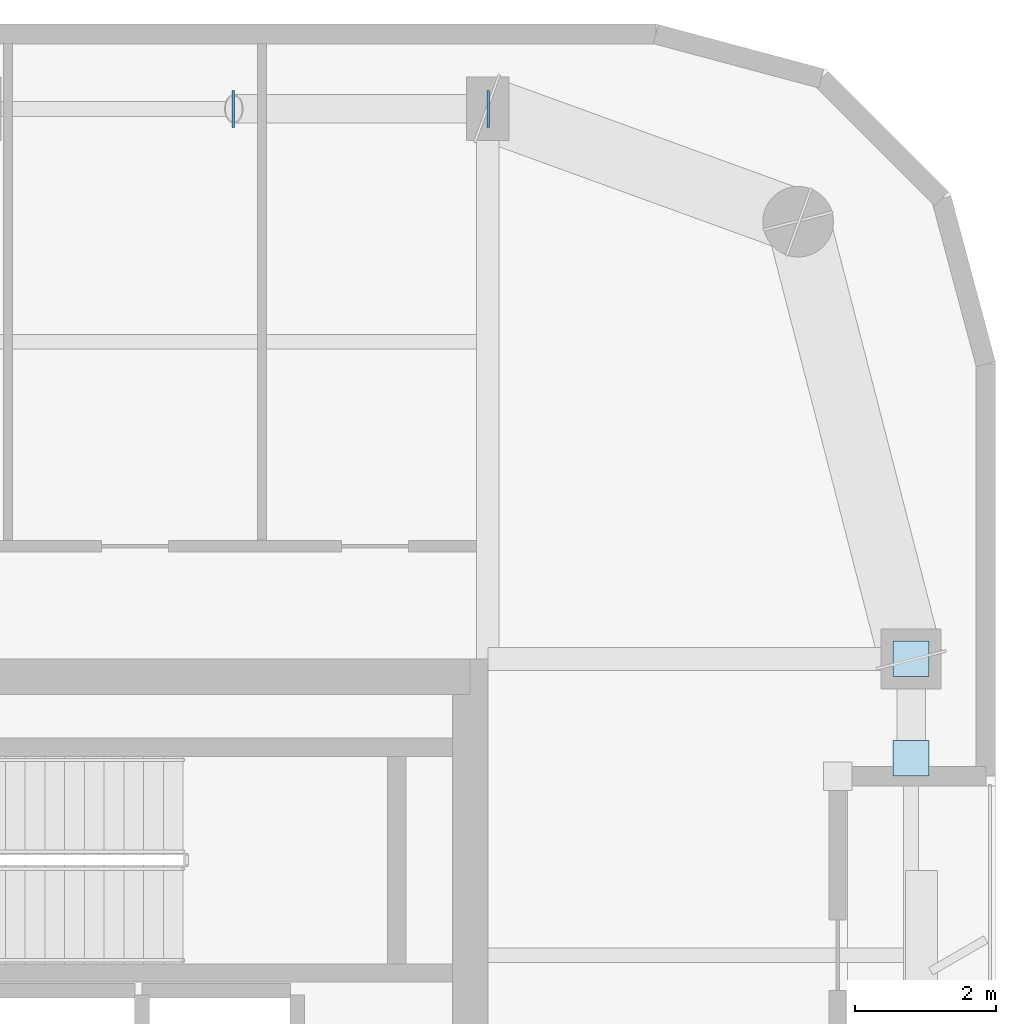
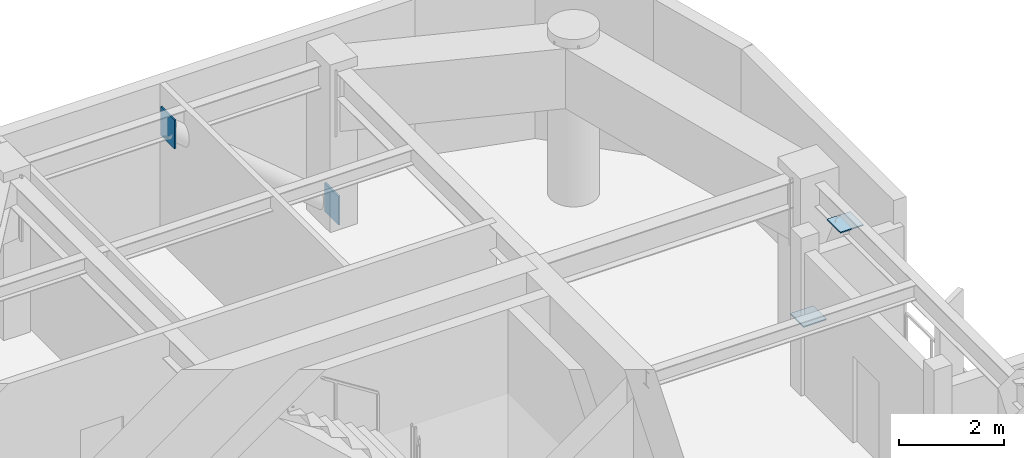
# One storey, part 9 of 16: 4 plates.
"""IFC4 building model written with IfcOpenShell, lengths in metres."""

from ifc_helpers import new_model, si_unit, direction, frame, origin, origin_2d, place, context, subcontext, project, spatial, rectangle, extrude, material, layer, layer_set, type_object, element, save


model = new_model("IFC4")

# Units and contexts
model_context = context("Model", 3, precision=1e-05, world=origin(), true_north=direction((0.0, 1.0)))
body_context = subcontext(model_context, "Body", "Model", "MODEL_VIEW")
ifc_project = project(units=[si_unit("LENGTHUNIT", "METRE"), si_unit("AREAUNIT", "SQUARE_METRE"), si_unit("VOLUMEUNIT", "CUBIC_METRE"), si_unit("PLANEANGLEUNIT", "RADIAN"), si_unit("MASSUNIT", "GRAM", prefix="KILO")], contexts=[model_context])

# Site, building, storey
site_placement = place(None, origin())
site = spatial("IfcSite", under=ifc_project, at=site_placement, CompositionType="ELEMENT")
building_placement = place(site_placement, origin())
building = spatial("IfcBuilding", under=site, at=building_placement, Name="Kiyonajd Concourse Tower", CompositionType="ELEMENT")
storey_placement = place(building_placement, frame((0.0, 0.0, 302.39990234375)))
storey = spatial("IfcBuildingStorey", under=building, at=storey_placement, Name="L76", CompositionType="ELEMENT", Elevation=302.39990234375)

# Plates
ifc_material = material(Name="Steel ASTM A572 Grade 50", Category="steel")
ifc_layer = layer(ifc_material, 0.028076171875)
ifc_layer_set = layer_set([ifc_layer], Name="Steel ASTM A572 Grade 50")
plate_type = type_object("IfcPlateType", Name="PL-CAP-450", PredefinedType="USERDEFINED", material=ifc_layer_set)
for number, where, z_axis, x_axis, name in (
    (1, (63.6083984375, 52.199951171875, -0.04248046875), (0.0, 0.0, 1.0), (1.0, 0.0, 0.0), "L76 Hollow Brace End Cap Plate PBN"),
    (2, (59.99169921875, 52.199951171875, 3.001708984375), (0.0, 0.0, 1.0), (-1.0, 0.0, 0.0), "L76 Hollow Brace Top Cap Plate PBN"),
):
    element("IfcPlate", number, at=place(storey_placement, frame(where, z_axis=z_axis, x_axis=x_axis)), inside=storey, type_object=plate_type, Name=name, ObjectType="CAP PLATE", PredefinedType="USERDEFINED", context=body_context, shape_type="SweptSolid", body=[
        extrude(rectangle(XDim=0.035888671875, YDim=0.52587890625, at=origin_2d()), origin(), (0.0, 0.0, 1.0), 0.6708984375),
    ])
for number, where, z_axis, x_axis, name in (
    (3, (69.60009765625, 44.404541015625, 0.27587890625), (0.0, 0.0, 1.0), (1.0, 0.0, 0.0), "L76 Hollow Brace End Cap Plate PBE"),
    (4, (69.60009765625, 42.995361328125, 3.326171875), (0.0, 0.0, 1.0), (1.0, 0.0, 0.0), "L76 Hollow Brace Top Cap Plate PBE"),
):
    element("IfcPlate", number, at=place(storey_placement, frame(where, z_axis=z_axis, x_axis=x_axis)), inside=storey, type_object=plate_type, Name=name, ObjectType="CAP PLATE", PredefinedType="USERDEFINED", context=body_context, shape_type="SweptSolid", body=[
        extrude(rectangle(XDim=0.506103515625, YDim=0.506103515625, at=origin_2d()), origin(), (0.0, 0.0, 1.0), 0.028076171875),
    ])

save(model, "model.ifc")
